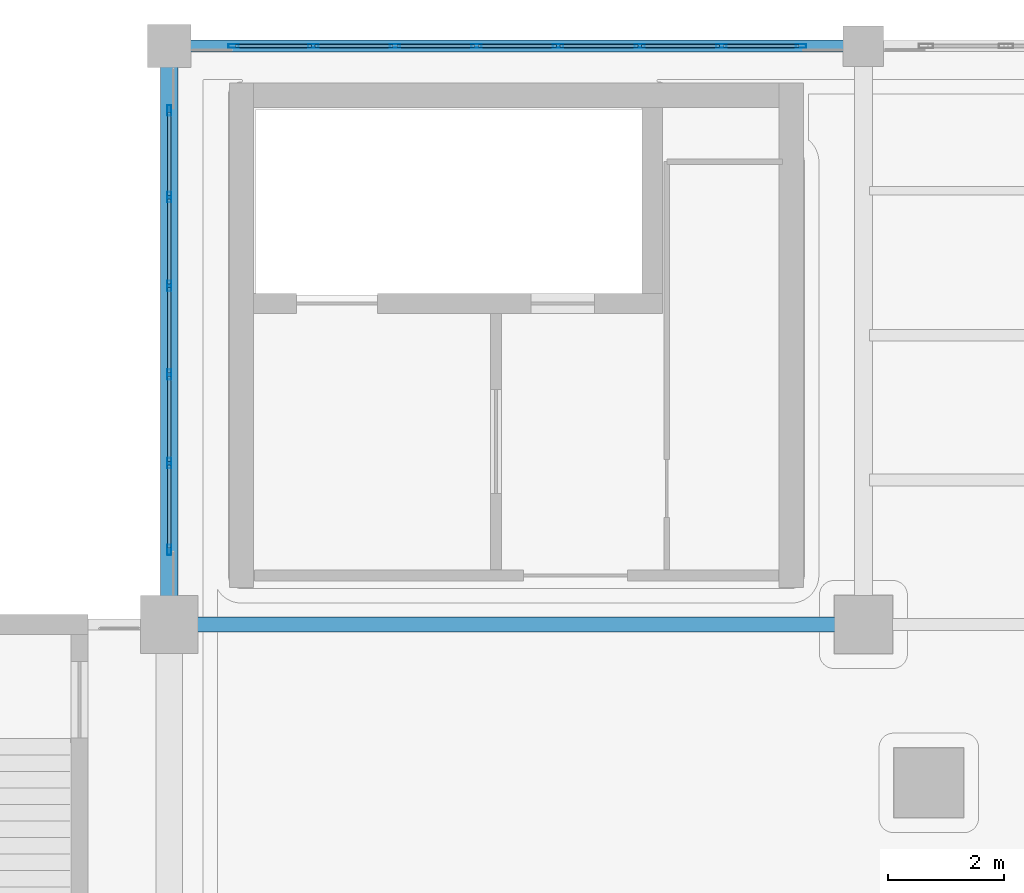
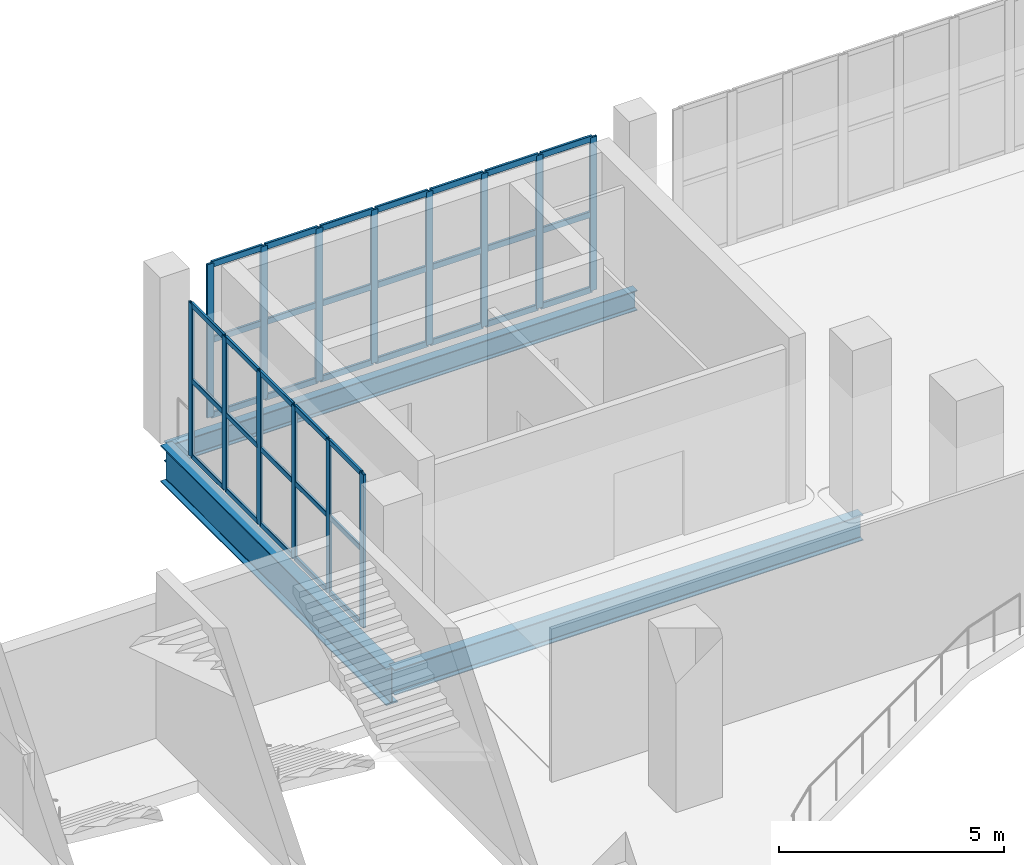
# One storey, part 44 of 108: 50 members, 3 beams, 2 elements without a shape of their own.
"""IFC4 building model written with IfcOpenShell, lengths in metres."""

from ifc_helpers import new_model, si_unit, direction, frame, origin, origin_2d, place, context, subcontext, project, spatial, hollow_rectangle, i_section, extrude, material, layer, layer_set, material_profile, profile_set, type_object, element, aggregate, save


model = new_model("IFC4")

# Units and contexts
model_context = context("Model", 3, precision=1e-05, world=origin(), true_north=direction((0.0, 1.0)))
body_context = subcontext(model_context, "Body", "Model", "MODEL_VIEW")
ifc_project = project(units=[si_unit("LENGTHUNIT", "METRE"), si_unit("AREAUNIT", "SQUARE_METRE"), si_unit("VOLUMEUNIT", "CUBIC_METRE"), si_unit("PLANEANGLEUNIT", "RADIAN"), si_unit("MASSUNIT", "GRAM", prefix="KILO")], contexts=[model_context])

# Site, building, storey
site_placement = place(None, origin())
site = spatial("IfcSite", under=ifc_project, at=site_placement, CompositionType="ELEMENT")
building_placement = place(site_placement, origin())
building = spatial("IfcBuilding", under=site, at=building_placement, Name="Brinegate Civic Arena", CompositionType="ELEMENT")
storey_placement = place(building_placement, frame((0.0, 0.0, 10.199951171875)))
storey = spatial("IfcBuildingStorey", under=building, at=storey_placement, Name="L02", CompositionType="ELEMENT", Elevation=10.199951171875)

# Curtain wall, members
ifc_material_1 = material(Name="Marine grade aluminium", Category="aluminium")
ifc_layer = layer(ifc_material_1, 0.235107421875, Name="Marine grade aluminium")
ifc_layer_set = layer_set([ifc_layer], Name="Marine grade aluminium")
curtain_wall_type = type_object("IfcCurtainWallType", Name="CW-PORTAL-NORTH-01", PredefinedType="USERDEFINED", material=ifc_layer_set)
curtain_wall_1_placement = place(storey_placement, origin())
curtain_wall_1 = element("IfcCurtainWall", 1, at=curtain_wall_1_placement, inside=storey, type_object=curtain_wall_type, Name="Curtain Wall CWA-096", ObjectType="PORTAL CURTAIN WALL", PredefinedType="USERDEFINED")
ifc_material_profile_1 = material_profile(ifc_material_1, hollow_rectangle(XDim=0.06494140625, YDim=0.179931640625, WallThickness=0.0048828125, InnerFilletRadius=0.00390625, OuterFilletRadius=0.008056640625, at=origin_2d()), Name="MUL65X180")
ifc_profile_set_1 = profile_set([ifc_material_profile_1], Name="Marine grade aluminium")
member_type_1 = type_object("IfcMemberType", Name="CW-MULLION-65X180", PredefinedType="MULLION", material=ifc_profile_set_1)
member_1_placement = place(storey_placement, frame((85.112548828125, 124.0, 0.0), z_axis=(0.0, 0.0, 1.0), x_axis=(0.0, 1.0, 0.0)))
member_1 = element("IfcMember", 2, at=member_1_placement, type_object=member_type_1, Name="CWA-096 mullion 1", PredefinedType="MULLION", context=body_context, shape_type="SweptSolid", body=[
    extrude(hollow_rectangle(XDim=0.06494140625, YDim=0.179931640625, WallThickness=0.0048828125, InnerFilletRadius=0.00390625, OuterFilletRadius=0.008056640625, at=origin_2d()), origin(), (0.0, 0.0, 1.0), 4.150146484375),
])
member_2_placement = place(storey_placement, frame((86.49072265625, 124.0, 0.0), z_axis=(0.0, 0.0, 1.0), x_axis=(0.0, 1.0, 0.0)))
member_2 = element("IfcMember", 3, at=member_2_placement, type_object=member_type_1, Name="CWA-096 mullion 2", PredefinedType="MULLION", context=body_context, shape_type="SweptSolid", body=[
    extrude(hollow_rectangle(XDim=0.06494140625, YDim=0.179931640625, WallThickness=0.0048828125, InnerFilletRadius=0.00390625, OuterFilletRadius=0.008056640625, at=origin_2d()), origin(), (0.0, 0.0, 1.0), 4.150146484375),
])
member_3_placement = place(storey_placement, frame((87.9013671875, 124.0, 0.0), z_axis=(0.0, 0.0, 1.0), x_axis=(0.0, 1.0, 0.0)))
member_3 = element("IfcMember", 4, at=member_3_placement, type_object=member_type_1, Name="CWA-096 mullion 3", PredefinedType="MULLION", context=body_context, shape_type="SweptSolid", body=[
    extrude(hollow_rectangle(XDim=0.06494140625, YDim=0.179931640625, WallThickness=0.0048828125, InnerFilletRadius=0.00390625, OuterFilletRadius=0.008056640625, at=origin_2d()), origin(), (0.0, 0.0, 1.0), 4.150146484375),
])
member_4_placement = place(storey_placement, frame((89.312255859375, 124.0, 0.0), z_axis=(0.0, 0.0, 1.0), x_axis=(0.0, 1.0, 0.0)))
member_4 = element("IfcMember", 5, at=member_4_placement, type_object=member_type_1, Name="CWA-096 mullion 4", PredefinedType="MULLION", context=body_context, shape_type="SweptSolid", body=[
    extrude(hollow_rectangle(XDim=0.06494140625, YDim=0.179931640625, WallThickness=0.0048828125, InnerFilletRadius=0.00390625, OuterFilletRadius=0.008056640625, at=origin_2d()), origin(), (0.0, 0.0, 1.0), 4.150146484375),
])
member_5_placement = place(storey_placement, frame((90.722900390625, 124.0, 0.0), z_axis=(0.0, 0.0, 1.0), x_axis=(0.0, 1.0, 0.0)))
member_5 = element("IfcMember", 6, at=member_5_placement, type_object=member_type_1, Name="CWA-096 mullion 5", PredefinedType="MULLION", context=body_context, shape_type="SweptSolid", body=[
    extrude(hollow_rectangle(XDim=0.06494140625, YDim=0.179931640625, WallThickness=0.0048828125, InnerFilletRadius=0.00390625, OuterFilletRadius=0.008056640625, at=origin_2d()), origin(), (0.0, 0.0, 1.0), 4.150146484375),
])
member_6_placement = place(storey_placement, frame((92.133544921875, 124.0, 0.0), z_axis=(0.0, 0.0, 1.0), x_axis=(0.0, 1.0, 0.0)))
member_6 = element("IfcMember", 7, at=member_6_placement, type_object=member_type_1, Name="CWA-096 mullion 6", PredefinedType="MULLION", context=body_context, shape_type="SweptSolid", body=[
    extrude(hollow_rectangle(XDim=0.06494140625, YDim=0.179931640625, WallThickness=0.0048828125, InnerFilletRadius=0.00390625, OuterFilletRadius=0.008056640625, at=origin_2d()), origin(), (0.0, 0.0, 1.0), 4.150146484375),
])
member_7_placement = place(storey_placement, frame((93.544189453125, 124.0, 0.0), z_axis=(0.0, 0.0, 1.0), x_axis=(0.0, 1.0, 0.0)))
member_7 = element("IfcMember", 8, at=member_7_placement, type_object=member_type_1, Name="CWA-096 mullion 7", PredefinedType="MULLION", context=body_context, shape_type="SweptSolid", body=[
    extrude(hollow_rectangle(XDim=0.06494140625, YDim=0.179931640625, WallThickness=0.0048828125, InnerFilletRadius=0.00390625, OuterFilletRadius=0.008056640625, at=origin_2d()), origin(), (0.0, 0.0, 1.0), 4.150146484375),
])
member_8_placement = place(storey_placement, frame((94.922607421875, 124.0, 0.0), z_axis=(0.0, 0.0, 1.0), x_axis=(0.0, 1.0, 0.0)))
member_8 = element("IfcMember", 9, at=member_8_placement, type_object=member_type_1, Name="CWA-096 mullion 8", PredefinedType="MULLION", context=body_context, shape_type="SweptSolid", body=[
    extrude(hollow_rectangle(XDim=0.06494140625, YDim=0.179931640625, WallThickness=0.0048828125, InnerFilletRadius=0.00390625, OuterFilletRadius=0.008056640625, at=origin_2d()), origin(), (0.0, 0.0, 1.0), 4.150146484375),
])

curtain_wall_2_placement = place(storey_placement, origin())
curtain_wall_2 = element("IfcCurtainWall", 10, at=curtain_wall_2_placement, inside=storey, type_object=curtain_wall_type, Name="Curtain Wall CWA-100", ObjectType="PORTAL CURTAIN WALL", PredefinedType="USERDEFINED")
member_9_placement = place(storey_placement, frame((84.0, 115.28955078125, 0.0), z_axis=(0.0, 0.0, 1.0), x_axis=(-1.0, 0.0, 0.0)))
member_9 = element("IfcMember", 11, at=member_9_placement, type_object=member_type_1, Name="CWA-100 mullion 1", PredefinedType="MULLION", context=body_context, shape_type="SweptSolid", body=[
    extrude(hollow_rectangle(XDim=0.06494140625, YDim=0.179931640625, WallThickness=0.0048828125, InnerFilletRadius=0.00390625, OuterFilletRadius=0.008056640625, at=origin_2d()), origin(), (0.0, 0.0, 1.0), 4.150146484375),
])
member_10_placement = place(storey_placement, frame((84.0, 116.78955078125, 0.0), z_axis=(0.0, 0.0, 1.0), x_axis=(-1.0, 0.0, 0.0)))
member_10 = element("IfcMember", 12, at=member_10_placement, type_object=member_type_1, Name="CWA-100 mullion 2", PredefinedType="MULLION", context=body_context, shape_type="SweptSolid", body=[
    extrude(hollow_rectangle(XDim=0.06494140625, YDim=0.179931640625, WallThickness=0.0048828125, InnerFilletRadius=0.00390625, OuterFilletRadius=0.008056640625, at=origin_2d()), origin(), (0.0, 0.0, 1.0), 4.150146484375),
])
member_11_placement = place(storey_placement, frame((84.0, 118.322265625, 0.0), z_axis=(0.0, 0.0, 1.0), x_axis=(-1.0, 0.0, 0.0)))
member_11 = element("IfcMember", 13, at=member_11_placement, type_object=member_type_1, Name="CWA-100 mullion 3", PredefinedType="MULLION", context=body_context, shape_type="SweptSolid", body=[
    extrude(hollow_rectangle(XDim=0.06494140625, YDim=0.179931640625, WallThickness=0.0048828125, InnerFilletRadius=0.00390625, OuterFilletRadius=0.008056640625, at=origin_2d()), origin(), (0.0, 0.0, 1.0), 4.150146484375),
])
member_12_placement = place(storey_placement, frame((84.0, 119.854736328125, 0.0), z_axis=(0.0, 0.0, 1.0), x_axis=(-1.0, 0.0, 0.0)))
member_12 = element("IfcMember", 14, at=member_12_placement, type_object=member_type_1, Name="CWA-100 mullion 4", PredefinedType="MULLION", context=body_context, shape_type="SweptSolid", body=[
    extrude(hollow_rectangle(XDim=0.06494140625, YDim=0.179931640625, WallThickness=0.0048828125, InnerFilletRadius=0.00390625, OuterFilletRadius=0.008056640625, at=origin_2d()), origin(), (0.0, 0.0, 1.0), 4.150146484375),
])
member_13_placement = place(storey_placement, frame((84.0, 121.387451171875, 0.0), z_axis=(0.0, 0.0, 1.0), x_axis=(-1.0, 0.0, 0.0)))
member_13 = element("IfcMember", 15, at=member_13_placement, type_object=member_type_1, Name="CWA-100 mullion 5", PredefinedType="MULLION", context=body_context, shape_type="SweptSolid", body=[
    extrude(hollow_rectangle(XDim=0.06494140625, YDim=0.179931640625, WallThickness=0.0048828125, InnerFilletRadius=0.00390625, OuterFilletRadius=0.008056640625, at=origin_2d()), origin(), (0.0, 0.0, 1.0), 4.150146484375),
])
member_14_placement = place(storey_placement, frame((84.0, 122.887451171875, 0.0), z_axis=(0.0, 0.0, 1.0), x_axis=(-1.0, 0.0, 0.0)))
member_14 = element("IfcMember", 16, at=member_14_placement, type_object=member_type_1, Name="CWA-100 mullion 6", PredefinedType="MULLION", context=body_context, shape_type="SweptSolid", body=[
    extrude(hollow_rectangle(XDim=0.06494140625, YDim=0.179931640625, WallThickness=0.0048828125, InnerFilletRadius=0.00390625, OuterFilletRadius=0.008056640625, at=origin_2d()), origin(), (0.0, 0.0, 1.0), 4.150146484375),
])
ifc_material_profile_2 = material_profile(ifc_material_1, hollow_rectangle(XDim=0.06494140625, YDim=0.139892578125, WallThickness=0.0048828125, InnerFilletRadius=0.00390625, OuterFilletRadius=0.008056640625, at=origin_2d()), Name="TRN65X140")
ifc_profile_set_2 = profile_set([ifc_material_profile_2], Name="Marine grade aluminium")
member_type_2 = type_object("IfcMemberType", Name="CW-TRANSOM-65X140", PredefinedType="USERDEFINED", material=ifc_profile_set_2)
member_15_placement = place(storey_placement, frame((84.0, 115.322021484375, 0.032470703125), z_axis=(0.0, 1.0, 0.0), x_axis=(-1.0, 0.0, 0.0)))
member_15 = element("IfcMember", 17, at=member_15_placement, type_object=member_type_2, Name="CWA-100 transom 1.1", ObjectType="TRANSOM", PredefinedType="USERDEFINED", context=body_context, shape_type="SweptSolid", body=[
    extrude(hollow_rectangle(XDim=0.06494140625, YDim=0.139892578125, WallThickness=0.0048828125, InnerFilletRadius=0.00390625, OuterFilletRadius=0.008056640625, at=origin_2d()), origin(), (0.0, 0.0, 1.0), 1.43505859375),
])
member_16_placement = place(storey_placement, frame((84.0, 115.322021484375, 2.074951171875), z_axis=(0.0, 1.0, 0.0), x_axis=(-1.0, 0.0, 0.0)))
member_16 = element("IfcMember", 18, at=member_16_placement, type_object=member_type_2, Name="CWA-100 transom 1.2", ObjectType="TRANSOM", PredefinedType="USERDEFINED", context=body_context, shape_type="SweptSolid", body=[
    extrude(hollow_rectangle(XDim=0.06494140625, YDim=0.139892578125, WallThickness=0.0048828125, InnerFilletRadius=0.00390625, OuterFilletRadius=0.008056640625, at=origin_2d()), origin(), (0.0, 0.0, 1.0), 1.43505859375),
])
member_17_placement = place(storey_placement, frame((84.0, 115.322021484375, 4.117431640625), z_axis=(0.0, 1.0, 0.0), x_axis=(-1.0, 0.0, 0.0)))
member_17 = element("IfcMember", 19, at=member_17_placement, type_object=member_type_2, Name="CWA-100 transom 1.3", ObjectType="TRANSOM", PredefinedType="USERDEFINED", context=body_context, shape_type="SweptSolid", body=[
    extrude(hollow_rectangle(XDim=0.06494140625, YDim=0.139892578125, WallThickness=0.0048828125, InnerFilletRadius=0.00390625, OuterFilletRadius=0.008056640625, at=origin_2d()), origin(), (0.0, 0.0, 1.0), 1.43505859375),
])
member_18_placement = place(storey_placement, frame((84.0, 116.822021484375, 0.032470703125), z_axis=(0.0, 1.0, 0.0), x_axis=(-1.0, 0.0, 0.0)))
member_18 = element("IfcMember", 20, at=member_18_placement, type_object=member_type_2, Name="CWA-100 transom 2.1", ObjectType="TRANSOM", PredefinedType="USERDEFINED", context=body_context, shape_type="SweptSolid", body=[
    extrude(hollow_rectangle(XDim=0.06494140625, YDim=0.139892578125, WallThickness=0.0048828125, InnerFilletRadius=0.00390625, OuterFilletRadius=0.008056640625, at=origin_2d()), origin(), (0.0, 0.0, 1.0), 1.4677734375),
])
member_19_placement = place(storey_placement, frame((84.0, 116.822021484375, 2.074951171875), z_axis=(0.0, 1.0, 0.0), x_axis=(-1.0, 0.0, 0.0)))
member_19 = element("IfcMember", 21, at=member_19_placement, type_object=member_type_2, Name="CWA-100 transom 2.2", ObjectType="TRANSOM", PredefinedType="USERDEFINED", context=body_context, shape_type="SweptSolid", body=[
    extrude(hollow_rectangle(XDim=0.06494140625, YDim=0.139892578125, WallThickness=0.0048828125, InnerFilletRadius=0.00390625, OuterFilletRadius=0.008056640625, at=origin_2d()), origin(), (0.0, 0.0, 1.0), 1.4677734375),
])
member_20_placement = place(storey_placement, frame((84.0, 116.822021484375, 4.117431640625), z_axis=(0.0, 1.0, 0.0), x_axis=(-1.0, 0.0, 0.0)))
member_20 = element("IfcMember", 22, at=member_20_placement, type_object=member_type_2, Name="CWA-100 transom 2.3", ObjectType="TRANSOM", PredefinedType="USERDEFINED", context=body_context, shape_type="SweptSolid", body=[
    extrude(hollow_rectangle(XDim=0.06494140625, YDim=0.139892578125, WallThickness=0.0048828125, InnerFilletRadius=0.00390625, OuterFilletRadius=0.008056640625, at=origin_2d()), origin(), (0.0, 0.0, 1.0), 1.4677734375),
])
member_21_placement = place(storey_placement, frame((84.0, 118.354736328125, 0.032470703125), z_axis=(0.0, 1.0, 0.0), x_axis=(-1.0, 0.0, 0.0)))
member_21 = element("IfcMember", 23, at=member_21_placement, type_object=member_type_2, Name="CWA-100 transom 3.1", ObjectType="TRANSOM", PredefinedType="USERDEFINED", context=body_context, shape_type="SweptSolid", body=[
    extrude(hollow_rectangle(XDim=0.06494140625, YDim=0.139892578125, WallThickness=0.0048828125, InnerFilletRadius=0.00390625, OuterFilletRadius=0.008056640625, at=origin_2d()), origin(), (0.0, 0.0, 1.0), 1.467529296875),
])
member_22_placement = place(storey_placement, frame((84.0, 118.354736328125, 2.074951171875), z_axis=(0.0, 1.0, 0.0), x_axis=(-1.0, 0.0, 0.0)))
member_22 = element("IfcMember", 24, at=member_22_placement, type_object=member_type_2, Name="CWA-100 transom 3.2", ObjectType="TRANSOM", PredefinedType="USERDEFINED", context=body_context, shape_type="SweptSolid", body=[
    extrude(hollow_rectangle(XDim=0.06494140625, YDim=0.139892578125, WallThickness=0.0048828125, InnerFilletRadius=0.00390625, OuterFilletRadius=0.008056640625, at=origin_2d()), origin(), (0.0, 0.0, 1.0), 1.467529296875),
])
member_23_placement = place(storey_placement, frame((84.0, 118.354736328125, 4.117431640625), z_axis=(0.0, 1.0, 0.0), x_axis=(-1.0, 0.0, 0.0)))
member_23 = element("IfcMember", 25, at=member_23_placement, type_object=member_type_2, Name="CWA-100 transom 3.3", ObjectType="TRANSOM", PredefinedType="USERDEFINED", context=body_context, shape_type="SweptSolid", body=[
    extrude(hollow_rectangle(XDim=0.06494140625, YDim=0.139892578125, WallThickness=0.0048828125, InnerFilletRadius=0.00390625, OuterFilletRadius=0.008056640625, at=origin_2d()), origin(), (0.0, 0.0, 1.0), 1.467529296875),
])
member_24_placement = place(storey_placement, frame((84.0, 119.88720703125, 0.032470703125), z_axis=(0.0, 1.0, 0.0), x_axis=(-1.0, 0.0, 0.0)))
member_24 = element("IfcMember", 26, at=member_24_placement, type_object=member_type_2, Name="CWA-100 transom 4.1", ObjectType="TRANSOM", PredefinedType="USERDEFINED", context=body_context, shape_type="SweptSolid", body=[
    extrude(hollow_rectangle(XDim=0.06494140625, YDim=0.139892578125, WallThickness=0.0048828125, InnerFilletRadius=0.00390625, OuterFilletRadius=0.008056640625, at=origin_2d()), origin(), (0.0, 0.0, 1.0), 1.4677734375),
])
member_25_placement = place(storey_placement, frame((84.0, 119.88720703125, 2.074951171875), z_axis=(0.0, 1.0, 0.0), x_axis=(-1.0, 0.0, 0.0)))
member_25 = element("IfcMember", 27, at=member_25_placement, type_object=member_type_2, Name="CWA-100 transom 4.2", ObjectType="TRANSOM", PredefinedType="USERDEFINED", context=body_context, shape_type="SweptSolid", body=[
    extrude(hollow_rectangle(XDim=0.06494140625, YDim=0.139892578125, WallThickness=0.0048828125, InnerFilletRadius=0.00390625, OuterFilletRadius=0.008056640625, at=origin_2d()), origin(), (0.0, 0.0, 1.0), 1.4677734375),
])
member_26_placement = place(storey_placement, frame((84.0, 119.88720703125, 4.117431640625), z_axis=(0.0, 1.0, 0.0), x_axis=(-1.0, 0.0, 0.0)))
member_26 = element("IfcMember", 28, at=member_26_placement, type_object=member_type_2, Name="CWA-100 transom 4.3", ObjectType="TRANSOM", PredefinedType="USERDEFINED", context=body_context, shape_type="SweptSolid", body=[
    extrude(hollow_rectangle(XDim=0.06494140625, YDim=0.139892578125, WallThickness=0.0048828125, InnerFilletRadius=0.00390625, OuterFilletRadius=0.008056640625, at=origin_2d()), origin(), (0.0, 0.0, 1.0), 1.4677734375),
])
member_27_placement = place(storey_placement, frame((84.0, 121.419921875, 0.032470703125), z_axis=(0.0, 1.0, 0.0), x_axis=(-1.0, 0.0, 0.0)))
member_27 = element("IfcMember", 29, at=member_27_placement, type_object=member_type_2, Name="CWA-100 transom 5.1", ObjectType="TRANSOM", PredefinedType="USERDEFINED", context=body_context, shape_type="SweptSolid", body=[
    extrude(hollow_rectangle(XDim=0.06494140625, YDim=0.139892578125, WallThickness=0.0048828125, InnerFilletRadius=0.00390625, OuterFilletRadius=0.008056640625, at=origin_2d()), origin(), (0.0, 0.0, 1.0), 1.43505859375),
])
member_28_placement = place(storey_placement, frame((84.0, 121.419921875, 2.074951171875), z_axis=(0.0, 1.0, 0.0), x_axis=(-1.0, 0.0, 0.0)))
member_28 = element("IfcMember", 30, at=member_28_placement, type_object=member_type_2, Name="CWA-100 transom 5.2", ObjectType="TRANSOM", PredefinedType="USERDEFINED", context=body_context, shape_type="SweptSolid", body=[
    extrude(hollow_rectangle(XDim=0.06494140625, YDim=0.139892578125, WallThickness=0.0048828125, InnerFilletRadius=0.00390625, OuterFilletRadius=0.008056640625, at=origin_2d()), origin(), (0.0, 0.0, 1.0), 1.43505859375),
])
member_29_placement = place(storey_placement, frame((84.0, 121.419921875, 4.117431640625), z_axis=(0.0, 1.0, 0.0), x_axis=(-1.0, 0.0, 0.0)))
member_29 = element("IfcMember", 31, at=member_29_placement, type_object=member_type_2, Name="CWA-100 transom 5.3", ObjectType="TRANSOM", PredefinedType="USERDEFINED", context=body_context, shape_type="SweptSolid", body=[
    extrude(hollow_rectangle(XDim=0.06494140625, YDim=0.139892578125, WallThickness=0.0048828125, InnerFilletRadius=0.00390625, OuterFilletRadius=0.008056640625, at=origin_2d()), origin(), (0.0, 0.0, 1.0), 1.43505859375),
])
aggregate(curtain_wall_2, [member_9, member_10, member_11, member_12, member_13, member_14, member_15, member_16, member_17, member_18, member_19, member_20, member_21, member_22, member_23, member_24, member_25, member_26, member_27, member_28, member_29])

# Member
ifc_material_profile_3 = material_profile(ifc_material_1, hollow_rectangle(XDim=0.06494140625, YDim=0.1650390625, WallThickness=0.0048828125, InnerFilletRadius=0.00390625, OuterFilletRadius=0.008056640625, at=origin_2d()), Name="TRN65X165")
ifc_profile_set_3 = profile_set([ifc_material_profile_3], Name="Marine grade aluminium")
member_type_3 = type_object("IfcMemberType", Name="CW-TRANSOM-65X165", PredefinedType="USERDEFINED", material=ifc_profile_set_3)
member_30_placement = place(storey_placement, frame((85.14501953125, 124.0, 0.032470703125), z_axis=(1.0, 0.0, 0.0), x_axis=(0.0, 1.0, 0.0)))
member_30 = element("IfcMember", 32, at=member_30_placement, type_object=member_type_3, Name="CWA-096 transom 1.1", ObjectType="TRANSOM", PredefinedType="USERDEFINED", context=body_context, shape_type="SweptSolid", body=[
    extrude(hollow_rectangle(XDim=0.06494140625, YDim=0.1650390625, WallThickness=0.0048828125, InnerFilletRadius=0.00390625, OuterFilletRadius=0.008056640625, at=origin_2d()), origin(), (0.0, 0.0, 1.0), 1.313232421875),
])

member_31_placement = place(storey_placement, frame((85.14501953125, 124.0, 2.074951171875), z_axis=(1.0, 0.0, 0.0), x_axis=(0.0, 1.0, 0.0)))
member_31 = element("IfcMember", 33, at=member_31_placement, type_object=member_type_3, Name="CWA-096 transom 1.2", ObjectType="TRANSOM", PredefinedType="USERDEFINED", context=body_context, shape_type="SweptSolid", body=[
    extrude(hollow_rectangle(XDim=0.06494140625, YDim=0.1650390625, WallThickness=0.0048828125, InnerFilletRadius=0.00390625, OuterFilletRadius=0.008056640625, at=origin_2d()), origin(), (0.0, 0.0, 1.0), 1.313232421875),
])

member_32_placement = place(storey_placement, frame((85.14501953125, 124.0, 4.117431640625), z_axis=(1.0, 0.0, 0.0), x_axis=(0.0, 1.0, 0.0)))
member_32 = element("IfcMember", 34, at=member_32_placement, type_object=member_type_3, Name="CWA-096 transom 1.3", ObjectType="TRANSOM", PredefinedType="USERDEFINED", context=body_context, shape_type="SweptSolid", body=[
    extrude(hollow_rectangle(XDim=0.06494140625, YDim=0.1650390625, WallThickness=0.0048828125, InnerFilletRadius=0.00390625, OuterFilletRadius=0.008056640625, at=origin_2d()), origin(), (0.0, 0.0, 1.0), 1.313232421875),
])

member_33_placement = place(storey_placement, frame((86.523193359375, 124.0, 0.032470703125), z_axis=(1.0, 0.0, 0.0), x_axis=(0.0, 1.0, 0.0)))
member_33 = element("IfcMember", 35, at=member_33_placement, type_object=member_type_3, Name="CWA-096 transom 2.1", ObjectType="TRANSOM", PredefinedType="USERDEFINED", context=body_context, shape_type="SweptSolid", body=[
    extrude(hollow_rectangle(XDim=0.06494140625, YDim=0.1650390625, WallThickness=0.0048828125, InnerFilletRadius=0.00390625, OuterFilletRadius=0.008056640625, at=origin_2d()), origin(), (0.0, 0.0, 1.0), 1.345703125),
])

member_34_placement = place(storey_placement, frame((86.523193359375, 124.0, 2.074951171875), z_axis=(1.0, 0.0, 0.0), x_axis=(0.0, 1.0, 0.0)))
member_34 = element("IfcMember", 36, at=member_34_placement, type_object=member_type_3, Name="CWA-096 transom 2.2", ObjectType="TRANSOM", PredefinedType="USERDEFINED", context=body_context, shape_type="SweptSolid", body=[
    extrude(hollow_rectangle(XDim=0.06494140625, YDim=0.1650390625, WallThickness=0.0048828125, InnerFilletRadius=0.00390625, OuterFilletRadius=0.008056640625, at=origin_2d()), origin(), (0.0, 0.0, 1.0), 1.345703125),
])

member_35_placement = place(storey_placement, frame((86.523193359375, 124.0, 4.117431640625), z_axis=(1.0, 0.0, 0.0), x_axis=(0.0, 1.0, 0.0)))
member_35 = element("IfcMember", 37, at=member_35_placement, type_object=member_type_3, Name="CWA-096 transom 2.3", ObjectType="TRANSOM", PredefinedType="USERDEFINED", context=body_context, shape_type="SweptSolid", body=[
    extrude(hollow_rectangle(XDim=0.06494140625, YDim=0.1650390625, WallThickness=0.0048828125, InnerFilletRadius=0.00390625, OuterFilletRadius=0.008056640625, at=origin_2d()), origin(), (0.0, 0.0, 1.0), 1.345703125),
])

member_36_placement = place(storey_placement, frame((87.933837890625, 124.0, 0.032470703125), z_axis=(1.0, 0.0, 0.0), x_axis=(0.0, 1.0, 0.0)))
member_36 = element("IfcMember", 38, at=member_36_placement, type_object=member_type_3, Name="CWA-096 transom 3.1", ObjectType="TRANSOM", PredefinedType="USERDEFINED", context=body_context, shape_type="SweptSolid", body=[
    extrude(hollow_rectangle(XDim=0.06494140625, YDim=0.1650390625, WallThickness=0.0048828125, InnerFilletRadius=0.00390625, OuterFilletRadius=0.008056640625, at=origin_2d()), origin(), (0.0, 0.0, 1.0), 1.345703125),
])

member_37_placement = place(storey_placement, frame((87.933837890625, 124.0, 2.074951171875), z_axis=(1.0, 0.0, 0.0), x_axis=(0.0, 1.0, 0.0)))
member_37 = element("IfcMember", 39, at=member_37_placement, type_object=member_type_3, Name="CWA-096 transom 3.2", ObjectType="TRANSOM", PredefinedType="USERDEFINED", context=body_context, shape_type="SweptSolid", body=[
    extrude(hollow_rectangle(XDim=0.06494140625, YDim=0.1650390625, WallThickness=0.0048828125, InnerFilletRadius=0.00390625, OuterFilletRadius=0.008056640625, at=origin_2d()), origin(), (0.0, 0.0, 1.0), 1.345703125),
])

member_38_placement = place(storey_placement, frame((87.933837890625, 124.0, 4.117431640625), z_axis=(1.0, 0.0, 0.0), x_axis=(0.0, 1.0, 0.0)))
member_38 = element("IfcMember", 40, at=member_38_placement, type_object=member_type_3, Name="CWA-096 transom 3.3", ObjectType="TRANSOM", PredefinedType="USERDEFINED", context=body_context, shape_type="SweptSolid", body=[
    extrude(hollow_rectangle(XDim=0.06494140625, YDim=0.1650390625, WallThickness=0.0048828125, InnerFilletRadius=0.00390625, OuterFilletRadius=0.008056640625, at=origin_2d()), origin(), (0.0, 0.0, 1.0), 1.345703125),
])

member_39_placement = place(storey_placement, frame((89.3447265625, 124.0, 0.032470703125), z_axis=(1.0, 0.0, 0.0), x_axis=(0.0, 1.0, 0.0)))
member_39 = element("IfcMember", 41, at=member_39_placement, type_object=member_type_3, Name="CWA-096 transom 4.1", ObjectType="TRANSOM", PredefinedType="USERDEFINED", context=body_context, shape_type="SweptSolid", body=[
    extrude(hollow_rectangle(XDim=0.06494140625, YDim=0.1650390625, WallThickness=0.0048828125, InnerFilletRadius=0.00390625, OuterFilletRadius=0.008056640625, at=origin_2d()), origin(), (0.0, 0.0, 1.0), 1.345703125),
])

member_40_placement = place(storey_placement, frame((89.3447265625, 124.0, 2.074951171875), z_axis=(1.0, 0.0, 0.0), x_axis=(0.0, 1.0, 0.0)))
member_40 = element("IfcMember", 42, at=member_40_placement, type_object=member_type_3, Name="CWA-096 transom 4.2", ObjectType="TRANSOM", PredefinedType="USERDEFINED", context=body_context, shape_type="SweptSolid", body=[
    extrude(hollow_rectangle(XDim=0.06494140625, YDim=0.1650390625, WallThickness=0.0048828125, InnerFilletRadius=0.00390625, OuterFilletRadius=0.008056640625, at=origin_2d()), origin(), (0.0, 0.0, 1.0), 1.345703125),
])

member_41_placement = place(storey_placement, frame((89.3447265625, 124.0, 4.117431640625), z_axis=(1.0, 0.0, 0.0), x_axis=(0.0, 1.0, 0.0)))
member_41 = element("IfcMember", 43, at=member_41_placement, type_object=member_type_3, Name="CWA-096 transom 4.3", ObjectType="TRANSOM", PredefinedType="USERDEFINED", context=body_context, shape_type="SweptSolid", body=[
    extrude(hollow_rectangle(XDim=0.06494140625, YDim=0.1650390625, WallThickness=0.0048828125, InnerFilletRadius=0.00390625, OuterFilletRadius=0.008056640625, at=origin_2d()), origin(), (0.0, 0.0, 1.0), 1.345703125),
])

member_42_placement = place(storey_placement, frame((90.75537109375, 124.0, 0.032470703125), z_axis=(1.0, 0.0, 0.0), x_axis=(0.0, 1.0, 0.0)))
member_42 = element("IfcMember", 44, at=member_42_placement, type_object=member_type_3, Name="CWA-096 transom 5.1", ObjectType="TRANSOM", PredefinedType="USERDEFINED", context=body_context, shape_type="SweptSolid", body=[
    extrude(hollow_rectangle(XDim=0.06494140625, YDim=0.1650390625, WallThickness=0.0048828125, InnerFilletRadius=0.00390625, OuterFilletRadius=0.008056640625, at=origin_2d()), origin(), (0.0, 0.0, 1.0), 1.345703125),
])

member_43_placement = place(storey_placement, frame((90.75537109375, 124.0, 2.074951171875), z_axis=(1.0, 0.0, 0.0), x_axis=(0.0, 1.0, 0.0)))
member_43 = element("IfcMember", 45, at=member_43_placement, type_object=member_type_3, Name="CWA-096 transom 5.2", ObjectType="TRANSOM", PredefinedType="USERDEFINED", context=body_context, shape_type="SweptSolid", body=[
    extrude(hollow_rectangle(XDim=0.06494140625, YDim=0.1650390625, WallThickness=0.0048828125, InnerFilletRadius=0.00390625, OuterFilletRadius=0.008056640625, at=origin_2d()), origin(), (0.0, 0.0, 1.0), 1.345703125),
])

member_44_placement = place(storey_placement, frame((90.75537109375, 124.0, 4.117431640625), z_axis=(1.0, 0.0, 0.0), x_axis=(0.0, 1.0, 0.0)))
member_44 = element("IfcMember", 46, at=member_44_placement, type_object=member_type_3, Name="CWA-096 transom 5.3", ObjectType="TRANSOM", PredefinedType="USERDEFINED", context=body_context, shape_type="SweptSolid", body=[
    extrude(hollow_rectangle(XDim=0.06494140625, YDim=0.1650390625, WallThickness=0.0048828125, InnerFilletRadius=0.00390625, OuterFilletRadius=0.008056640625, at=origin_2d()), origin(), (0.0, 0.0, 1.0), 1.345703125),
])

member_45_placement = place(storey_placement, frame((92.166015625, 124.0, 0.032470703125), z_axis=(1.0, 0.0, 0.0), x_axis=(0.0, 1.0, 0.0)))
member_45 = element("IfcMember", 47, at=member_45_placement, type_object=member_type_3, Name="CWA-096 transom 6.1", ObjectType="TRANSOM", PredefinedType="USERDEFINED", context=body_context, shape_type="SweptSolid", body=[
    extrude(hollow_rectangle(XDim=0.06494140625, YDim=0.1650390625, WallThickness=0.0048828125, InnerFilletRadius=0.00390625, OuterFilletRadius=0.008056640625, at=origin_2d()), origin(), (0.0, 0.0, 1.0), 1.345703125),
])

member_46_placement = place(storey_placement, frame((92.166015625, 124.0, 2.074951171875), z_axis=(1.0, 0.0, 0.0), x_axis=(0.0, 1.0, 0.0)))
member_46 = element("IfcMember", 48, at=member_46_placement, type_object=member_type_3, Name="CWA-096 transom 6.2", ObjectType="TRANSOM", PredefinedType="USERDEFINED", context=body_context, shape_type="SweptSolid", body=[
    extrude(hollow_rectangle(XDim=0.06494140625, YDim=0.1650390625, WallThickness=0.0048828125, InnerFilletRadius=0.00390625, OuterFilletRadius=0.008056640625, at=origin_2d()), origin(), (0.0, 0.0, 1.0), 1.345703125),
])

member_47_placement = place(storey_placement, frame((92.166015625, 124.0, 4.117431640625), z_axis=(1.0, 0.0, 0.0), x_axis=(0.0, 1.0, 0.0)))
member_47 = element("IfcMember", 49, at=member_47_placement, type_object=member_type_3, Name="CWA-096 transom 6.3", ObjectType="TRANSOM", PredefinedType="USERDEFINED", context=body_context, shape_type="SweptSolid", body=[
    extrude(hollow_rectangle(XDim=0.06494140625, YDim=0.1650390625, WallThickness=0.0048828125, InnerFilletRadius=0.00390625, OuterFilletRadius=0.008056640625, at=origin_2d()), origin(), (0.0, 0.0, 1.0), 1.345703125),
])

member_48_placement = place(storey_placement, frame((93.576904296875, 124.0, 0.032470703125), z_axis=(1.0, 0.0, 0.0), x_axis=(0.0, 1.0, 0.0)))
member_48 = element("IfcMember", 50, at=member_48_placement, type_object=member_type_3, Name="CWA-096 transom 7.1", ObjectType="TRANSOM", PredefinedType="USERDEFINED", context=body_context, shape_type="SweptSolid", body=[
    extrude(hollow_rectangle(XDim=0.06494140625, YDim=0.1650390625, WallThickness=0.0048828125, InnerFilletRadius=0.00390625, OuterFilletRadius=0.008056640625, at=origin_2d()), origin(), (0.0, 0.0, 1.0), 1.31298828125),
])

member_49_placement = place(storey_placement, frame((93.576904296875, 124.0, 2.074951171875), z_axis=(1.0, 0.0, 0.0), x_axis=(0.0, 1.0, 0.0)))
member_49 = element("IfcMember", 51, at=member_49_placement, type_object=member_type_3, Name="CWA-096 transom 7.2", ObjectType="TRANSOM", PredefinedType="USERDEFINED", context=body_context, shape_type="SweptSolid", body=[
    extrude(hollow_rectangle(XDim=0.06494140625, YDim=0.1650390625, WallThickness=0.0048828125, InnerFilletRadius=0.00390625, OuterFilletRadius=0.008056640625, at=origin_2d()), origin(), (0.0, 0.0, 1.0), 1.31298828125),
])

member_50_placement = place(storey_placement, frame((93.576904296875, 124.0, 4.117431640625), z_axis=(1.0, 0.0, 0.0), x_axis=(0.0, 1.0, 0.0)))
member_50 = element("IfcMember", 52, at=member_50_placement, type_object=member_type_3, Name="CWA-096 transom 7.3", ObjectType="TRANSOM", PredefinedType="USERDEFINED", context=body_context, shape_type="SweptSolid", body=[
    extrude(hollow_rectangle(XDim=0.06494140625, YDim=0.1650390625, WallThickness=0.0048828125, InnerFilletRadius=0.00390625, OuterFilletRadius=0.008056640625, at=origin_2d()), origin(), (0.0, 0.0, 1.0), 1.31298828125),
])

aggregate(curtain_wall_1, [member_1, member_2, member_3, member_4, member_5, member_6, member_7, member_8, member_30, member_31, member_32, member_33, member_34, member_35, member_36, member_37, member_38, member_39, member_40, member_41, member_42, member_43, member_44, member_45, member_46, member_47, member_48, member_49, member_50])

# Beams
ifc_material_2 = material(Name="Steel S355", Category="steel")
ifc_material_profile_4 = material_profile(ifc_material_2, i_section(OverallWidth=0.300048828125, OverallDepth=1.0, WebThickness=0.01904296875, FlangeThickness=0.031982421875, FilletRadius=0.02392578125, at=origin_2d()), Name="W1000X321")
ifc_profile_set_4 = profile_set([ifc_material_profile_4], Name="Steel S355")
beam_type_1 = type_object("IfcBeamType", Name="GIRDER-W1000X321", PredefinedType="BEAM", material=ifc_profile_set_4)
beam_1_placement = place(storey_placement, frame((84.0, 114.0, -0.829833984375), z_axis=(0.0, 1.0, 0.0), x_axis=(-1.0, 0.0, 0.0)))
element("IfcBeam", 53, at=beam_1_placement, inside=storey, type_object=beam_type_1, Name="Floor Girder BM-L02-GY-07-11", PredefinedType="BEAM", context=body_context, shape_type="SweptSolid", body=[
    extrude(i_section(OverallWidth=0.300048828125, OverallDepth=1.0, WebThickness=0.01904296875, FlangeThickness=0.031982421875, FilletRadius=0.02392578125, at=origin_2d()), origin(), (0.0, 0.0, 1.0), 10.0),
])
ifc_material_profile_5 = material_profile(ifc_material_2, i_section(OverallWidth=0.2119140625, OverallDepth=0.5439453125, WebThickness=0.012939453125, FlangeThickness=0.02099609375, FilletRadius=0.01611328125, at=origin_2d()), Name="W530X123")
ifc_profile_set_5 = profile_set([ifc_material_profile_5], Name="Steel S355")
beam_type_2 = type_object("IfcBeamType", Name="SPANDREL-W530X123", PredefinedType="SPANDREL", material=ifc_profile_set_5)
beam_2_placement = place(storey_placement, frame((84.0, 124.0, -0.60205078125), z_axis=(1.0, 0.0, 0.0), x_axis=(0.0, 1.0, 0.0)))
element("IfcBeam", 54, at=beam_2_placement, inside=storey, type_object=beam_type_2, Name="Floor Girder BM-L02-GX-07-12", PredefinedType="SPANDREL", context=body_context, shape_type="SweptSolid", body=[
    extrude(i_section(OverallWidth=0.2119140625, OverallDepth=0.5439453125, WebThickness=0.012939453125, FlangeThickness=0.02099609375, FilletRadius=0.01611328125, at=origin_2d()), origin(), (0.0, 0.0, 1.0), 12.0),
])
ifc_material_profile_6 = material_profile(ifc_material_2, i_section(OverallWidth=0.256103515625, OverallDepth=0.693115234375, WebThickness=0.014892578125, FlangeThickness=0.02392578125, FilletRadius=0.01806640625, at=origin_2d()), Name="W690X170")
ifc_profile_set_6 = profile_set([ifc_material_profile_6], Name="Steel S355")
beam_type_3 = type_object("IfcBeamType", Name="SPANDREL-W690X170", PredefinedType="SPANDREL", material=ifc_profile_set_6)
beam_3_placement = place(storey_placement, frame((84.0, 114.0, -0.676025390625), z_axis=(1.0, 0.0, 0.0), x_axis=(0.0, 1.0, 0.0)))
element("IfcBeam", 55, at=beam_3_placement, inside=storey, type_object=beam_type_3, Name="Floor Girder BM-L02-GX-07-11", PredefinedType="SPANDREL", context=body_context, shape_type="SweptSolid", body=[
    extrude(i_section(OverallWidth=0.256103515625, OverallDepth=0.693115234375, WebThickness=0.014892578125, FlangeThickness=0.02392578125, FilletRadius=0.01806640625, at=origin_2d()), origin(), (0.0, 0.0, 1.0), 12.0),
])

save(model, "model.ifc")
